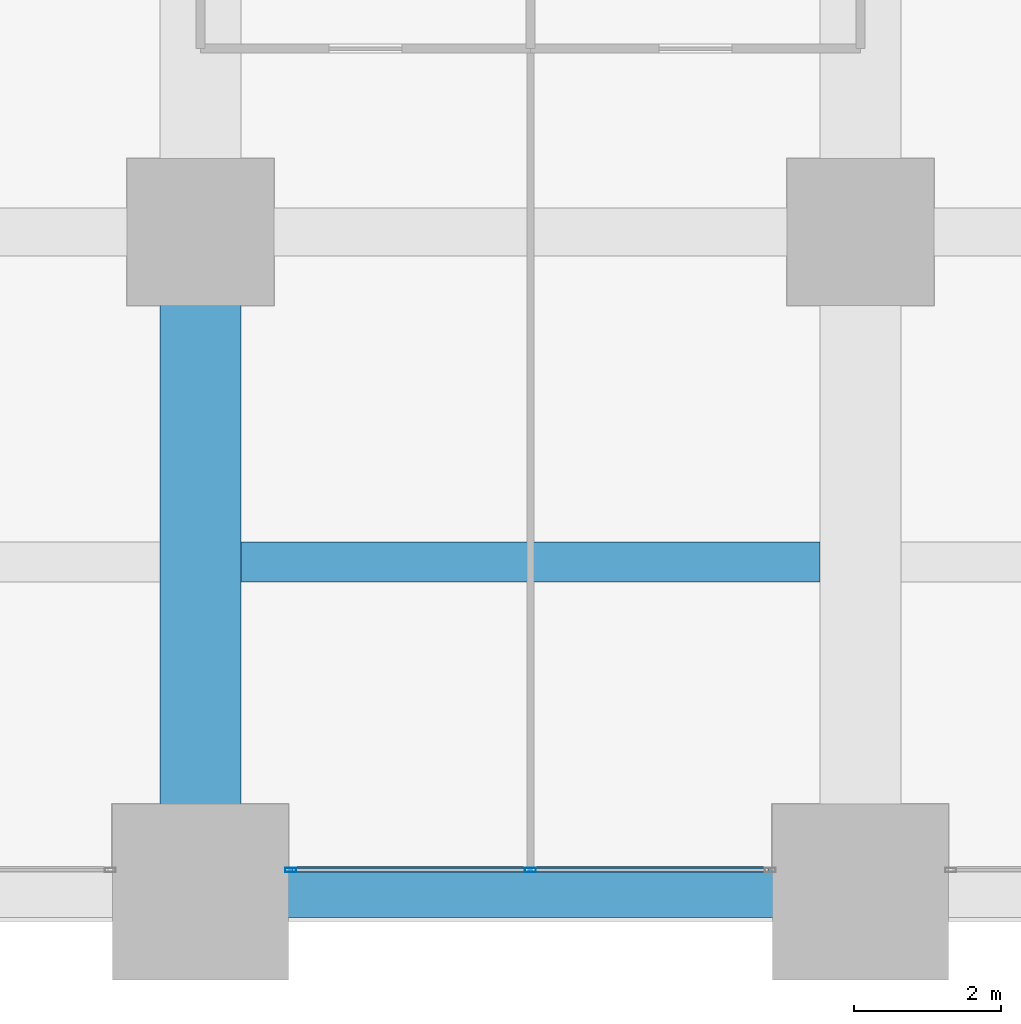
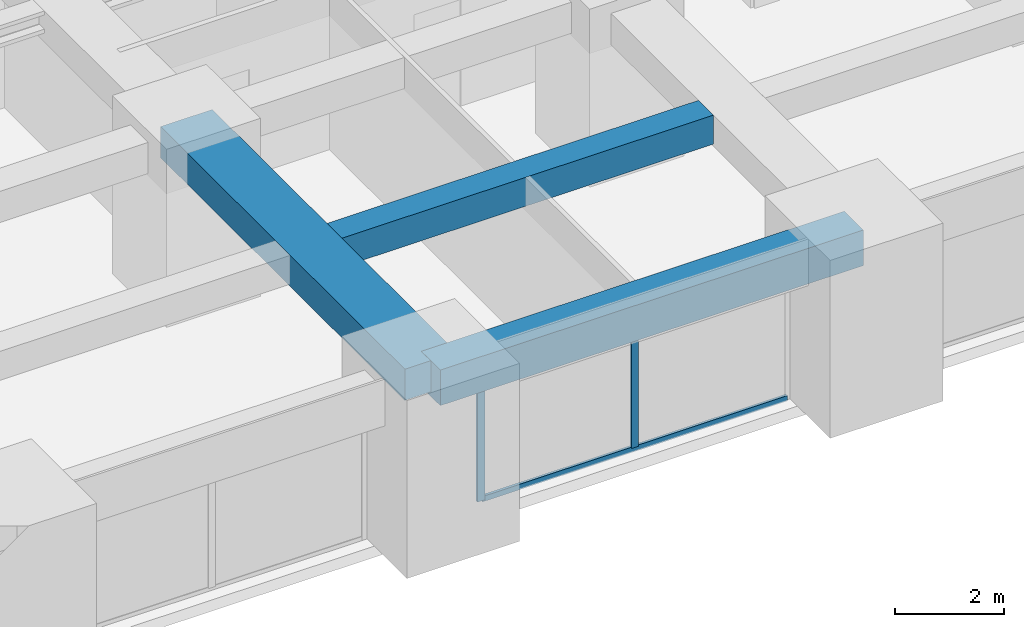
# One storey, part 7 of 41: 3 beams, 3 members, 1 element without a shape of its own.
"""IFC4 building model written with IfcOpenShell, lengths in metres."""

from ifc_helpers import new_model, si_unit, direction, frame, origin, origin_2d, place, context, subcontext, project, spatial, rectangle, hollow_rectangle, extrude, material, material_profile, profile_set, type_object, element, aggregate, save


model = new_model("IFC4")

# Units and contexts
model_context = context("Model", 3, precision=1e-05, world=origin(), true_north=direction((0.0, 1.0)))
body_context = subcontext(model_context, "Body", "Model", "MODEL_VIEW")
ifc_project = project(units=[si_unit("LENGTHUNIT", "METRE"), si_unit("AREAUNIT", "SQUARE_METRE"), si_unit("VOLUMEUNIT", "CUBIC_METRE"), si_unit("PLANEANGLEUNIT", "RADIAN"), si_unit("MASSUNIT", "GRAM", prefix="KILO")], contexts=[model_context])

# Site, building, storey
site_placement = place(None, origin())
site = spatial("IfcSite", under=ifc_project, at=site_placement, CompositionType="ELEMENT")
building_placement = place(site_placement, origin())
building = spatial("IfcBuilding", under=site, at=building_placement, Name="Zorevar Civic Tower", CompositionType="ELEMENT")
storey_placement = place(building_placement, frame((0.0, 0.0, 113.0)))
storey = spatial("IfcBuildingStorey", under=building, at=storey_placement, Name="L27", CompositionType="ELEMENT", Elevation=113.0)

# Beams
ifc_material_1 = material(Name="Concrete C50/60", Category="concrete")
ifc_material_profile_1 = material_profile(ifc_material_1, rectangle(XDim=1.10009765625, YDim=0.699951171875, at=origin_2d()), Name="RC 1100x700")
ifc_profile_set_1 = profile_set([ifc_material_profile_1], Name="Concrete C50/60")
beam_type_1 = type_object("IfcBeamType", Name="Beam RC 1100x700", PredefinedType="BEAM", material=ifc_profile_set_1)
beam_1_placement = place(storey_placement, frame((27.0, 0.0, 3.39990234375), z_axis=(0.0, 1.0, 0.0), x_axis=(-1.0, 0.0, 0.0)))
element("IfcBeam", 1, at=beam_1_placement, inside=storey, type_object=beam_type_1, Name="Girder L28", PredefinedType="BEAM", context=body_context, shape_type="SweptSolid", body=[
    extrude(rectangle(XDim=1.10009765625, YDim=0.699951171875, at=origin_2d()), origin(), (0.0, 0.0, 1.0), 9.0),
])
ifc_material_2 = material(Name="Concrete C50/60", Category="concrete")
ifc_material_profile_2 = material_profile(ifc_material_2, rectangle(XDim=0.550048828125, YDim=0.64990234375, at=origin_2d()), Name="RC 550x650")
ifc_profile_set_2 = profile_set([ifc_material_profile_2], Name="Concrete C50/60")
beam_type_2 = type_object("IfcBeamType", Name="Beam RC 550x650", PredefinedType="BEAM", material=ifc_profile_set_2)
beam_2_placement = place(storey_placement, frame((27.550048828125, 4.5, 3.425048828125), z_axis=(1.0, 0.0, 0.0), x_axis=(0.0, 1.0, 0.0)))
element("IfcBeam", 2, at=beam_2_placement, inside=storey, type_object=beam_type_2, Name="Secondary beam L28", PredefinedType="BEAM", context=body_context, shape_type="SweptSolid", body=[
    extrude(rectangle(XDim=0.550048828125, YDim=0.64990234375, at=origin_2d()), origin(), (0.0, 0.0, 1.0), 7.89990234375),
])

# Curtain wall, members
ifc_material_3 = material(Name="Dark grey solar-control glass in black aluminium frame", Category="aluminium")
curtain_wall_type = type_object("IfcCurtainWallType", Name="Curtain wall CW3 mid zone", PredefinedType="NOTDEFINED", material=ifc_material_3)
curtain_wall_placement = place(storey_placement, origin())
curtain_wall = element("IfcCurtainWall", 3, at=curtain_wall_placement, inside=storey, type_object=curtain_wall_type, Name="CW3 L27", PredefinedType="NOTDEFINED")
ifc_material_4 = material(Name="Aluminium, black anodised", Category="aluminium")
ifc_material_profile_3 = material_profile(ifc_material_4, hollow_rectangle(XDim=0.06005859375, YDim=0.14990234375, WallThickness=0.00390625, at=origin_2d()), Name="AL 150x60x4")
ifc_profile_set_3 = profile_set([ifc_material_profile_3], Name="Aluminium, black anodised")
member_type_1 = type_object("IfcMemberType", Name="CW3 mullion AL 150x60x4", PredefinedType="MULLION", material=ifc_profile_set_3)
member_1_placement = place(storey_placement, frame((28.22998046875, 0.300048828125, 0.0), z_axis=(0.0, 0.0, 1.0), x_axis=(0.0, 1.0, 0.0)))
member_1 = element("IfcMember", 4, at=member_1_placement, type_object=member_type_1, Name="CW3 mullion 1", PredefinedType="MULLION", context=body_context, shape_type="SweptSolid", body=[
    extrude(hollow_rectangle(XDim=0.06005859375, YDim=0.14990234375, WallThickness=0.00390625, at=origin_2d()), origin(), (0.0, 0.0, 1.0), 2.949951171875),
])
member_2_placement = place(storey_placement, frame((31.5, 0.300048828125, 0.06005859375), z_axis=(0.0, 0.0, 1.0), x_axis=(0.0, 1.0, 0.0)))
member_2 = element("IfcMember", 5, at=member_2_placement, type_object=member_type_1, Name="CW3 mullion 2", PredefinedType="MULLION", context=body_context, shape_type="SweptSolid", body=[
    extrude(hollow_rectangle(XDim=0.06005859375, YDim=0.14990234375, WallThickness=0.00390625, at=origin_2d()), origin(), (0.0, 0.0, 1.0), 2.889892578125),
])
ifc_material_5 = material(Name="Aluminium, black anodised", Category="aluminium")
ifc_material_profile_4 = material_profile(ifc_material_5, hollow_rectangle(XDim=0.06005859375, YDim=0.1201171875, WallThickness=0.0029296875, at=origin_2d()), Name="AL 120x60x3")
ifc_profile_set_4 = profile_set([ifc_material_profile_4], Name="Aluminium, black anodised")
member_type_2 = type_object("IfcMemberType", Name="CW3 transom AL 120x60x3", PredefinedType="USERDEFINED", material=ifc_profile_set_4)
member_3_placement = place(storey_placement, frame((28.260009765625, 0.300048828125, 0.030029296875), z_axis=(1.0, 0.0, 0.0), x_axis=(0.0, 1.0, 0.0)))
member_3 = element("IfcMember", 6, at=member_3_placement, type_object=member_type_2, Name="CW3 sill transom", ObjectType="TRANSOM", PredefinedType="USERDEFINED", context=body_context, shape_type="SweptSolid", body=[
    extrude(hollow_rectangle(XDim=0.06005859375, YDim=0.1201171875, WallThickness=0.0029296875, at=origin_2d()), origin(), (0.0, 0.0, 1.0), 6.47998046875),
])
aggregate(curtain_wall, [member_1, member_2, member_3])

# Beam
ifc_material_6 = material(Name="Concrete C50/60", Category="concrete")
ifc_material_profile_5 = material_profile(ifc_material_6, rectangle(XDim=0.699951171875, YDim=0.800048828125, at=origin_2d()), Name="RC 700x800")
ifc_profile_set_5 = profile_set([ifc_material_profile_5], Name="Concrete C50/60")
beam_type_3 = type_object("IfcBeamType", Name="Edge beam RC 700x800", PredefinedType="SPANDREL", material=ifc_profile_set_5)
beam_3_placement = place(storey_placement, frame((27.0, 0.0, 3.35009765625), z_axis=(1.0, 0.0, 0.0), x_axis=(0.0, 1.0, 0.0)))
element("IfcBeam", 7, at=beam_3_placement, inside=storey, type_object=beam_type_3, Name="Edge beam L28", PredefinedType="SPANDREL", context=body_context, shape_type="SweptSolid", body=[
    extrude(rectangle(XDim=0.699951171875, YDim=0.800048828125, at=origin_2d()), origin(), (0.0, 0.0, 1.0), 9.0),
])

save(model, "model.ifc")
